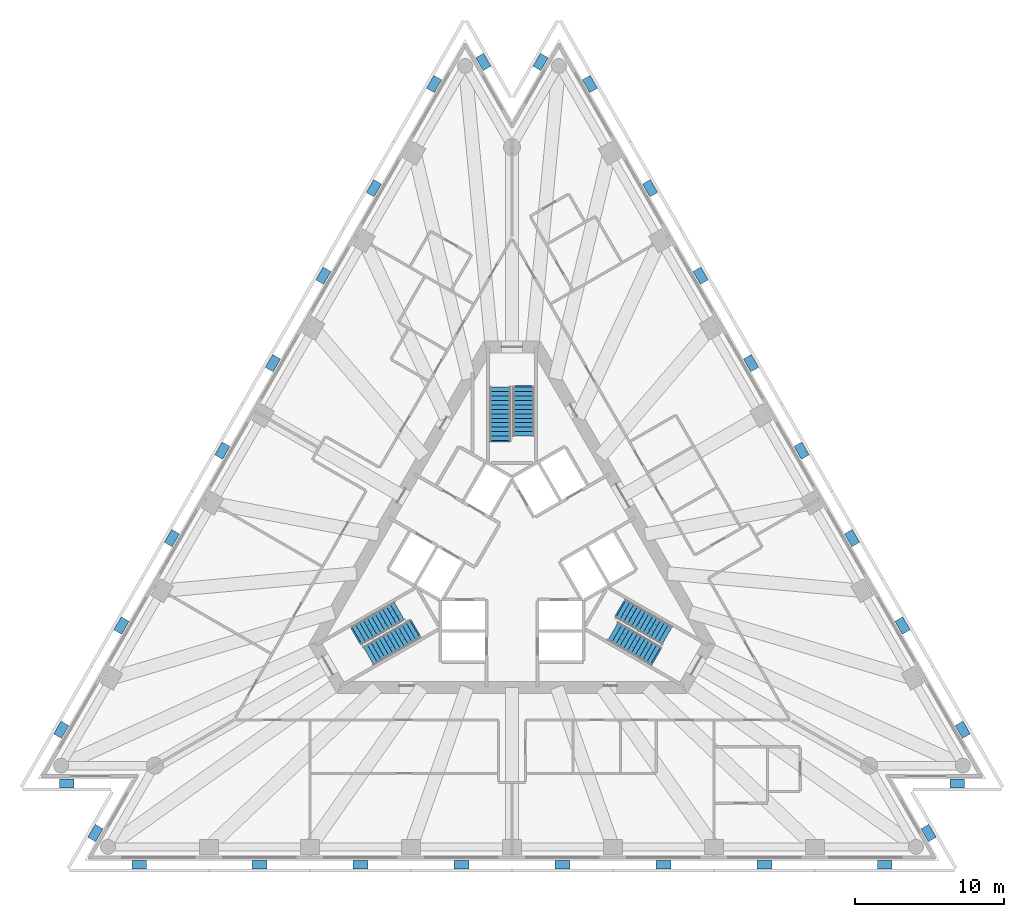
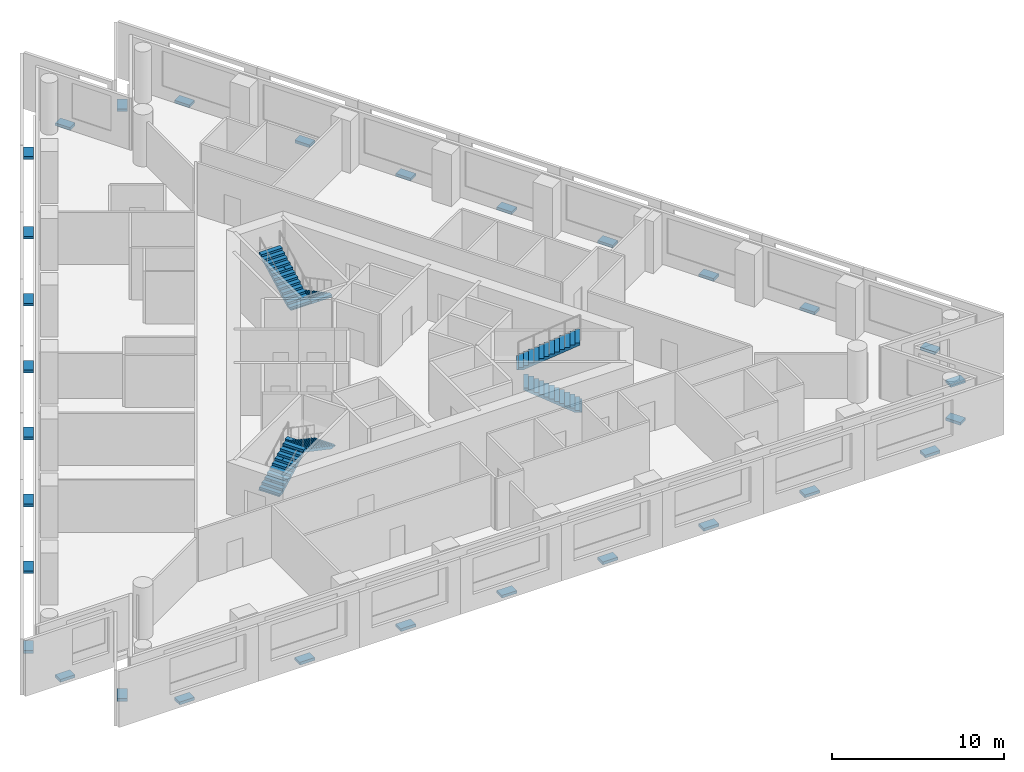
# One storey, part 7 of 9: 30 discrete accessories, 6 stair flights, 3 elements without a shape of their own.
"""IFC4 building model written with IfcOpenShell, lengths in metres."""

from ifc_helpers import new_model, si_unit, direction, frame, origin, origin_2d, place, context, subcontext, project, spatial, polyline, rectangle, outline, extrude, material, type_object, element, aggregate, save


model = new_model("IFC4")

# Units and contexts
model_context = context("Model", 3, precision=1e-05, world=origin(), true_north=direction((0.0, 1.0)))
body_context = subcontext(model_context, "Body", "Model", "MODEL_VIEW")
ifc_project = project(units=[si_unit("LENGTHUNIT", "METRE"), si_unit("AREAUNIT", "SQUARE_METRE"), si_unit("VOLUMEUNIT", "CUBIC_METRE"), si_unit("PLANEANGLEUNIT", "RADIAN"), si_unit("MASSUNIT", "GRAM", prefix="KILO")], contexts=[model_context])

# Site, building, storey
site_placement = place(None, origin())
site = spatial("IfcSite", under=ifc_project, at=site_placement, CompositionType="ELEMENT")
building_placement = place(site_placement, origin())
building = spatial("IfcBuilding", under=site, at=building_placement, Name="Triada Interchange Tower", CompositionType="ELEMENT")
storey_placement = place(building_placement, frame((0.0, 0.0, 136.300048828125)))
storey = spatial("IfcBuildingStorey", under=building, at=storey_placement, Name="L31", CompositionType="ELEMENT", Elevation=136.300048828125)

# Stair, stair flights
ifc_material_1 = material(Name="Concrete C35/45", Category="concrete")
stair_type = type_object("IfcStairType", Name="HALF TURN STAIR 1400", PredefinedType="HALF_TURN_STAIR", material=ifc_material_1)
stair_1_placement = place(storey_placement, origin())
stair_1 = element("IfcStair", 1, at=stair_1_placement, inside=storey, type_object=stair_type, Name="Exit stair S29-1", PredefinedType="HALF_TURN_STAIR")
stair_flight_type = type_object("IfcStairFlightType", Name="STRAIGHT STAIR FLIGHT 1400", PredefinedType="STRAIGHT", material=ifc_material_1)
stair_flight_1_placement = place(storey_placement, frame((0.800048828125, 11.60009765625, 0.0), z_axis=(0.0, 0.0, 1.0), x_axis=(0.0, -1.0, 0.0)))
stair_flight_1 = element("IfcStairFlight", 2, at=stair_flight_1_placement, type_object=stair_flight_type, Name="S29-1 flight 1", NumberOfRisers=12, NumberOfTreads=11, PredefinedType="STRAIGHT", RiserHeight=0.16, TreadLength=0.3, context=body_context, shape_type="SweptSolid", body=[
    extrude(outline(polyline([(-0.10009765625, 0.0), (-0.10009765625, 0.02001953125), (0.0, 0.02001953125), (0.0, 0.159912109375), (0.300048828125, 0.159912109375), (0.300048828125, 0.320068359375), (0.60009765625, 0.320068359375), (0.60009765625, 0.47998046875), (0.89990234375, 0.47998046875), (0.89990234375, 0.639892578125), (1.199951171875, 0.639892578125), (1.199951171875, 0.800048828125), (1.5, 0.800048828125), (1.5, 0.9599609375), (1.800048828125, 0.9599609375), (1.800048828125, 1.1201171875), (2.10009765625, 1.1201171875), (2.10009765625, 1.280029296875), (2.39990234375, 1.280029296875), (2.39990234375, 1.43994140625), (2.699951171875, 1.43994140625), (2.699951171875, 1.60009765625), (3.0, 1.60009765625), (3.0, 1.760009765625), (3.300048828125, 1.760009765625), (3.303955078125, 1.760009765625), (3.303955078125, 1.919921875), (3.303955078125, 1.590087890625), (0.318603515625, 0.0), (-0.10009765625, 0.0)])), frame((0.0, 0.699951171875, 0.0), z_axis=(0.0, -1.0, 0.0), x_axis=(1.0, 0.0, 0.0)), (0.0, 0.0, 1.0), 0.46533203125),
    extrude(outline(polyline([(-0.10009765625, 0.0), (-0.10009765625, 0.02001953125), (0.0, 0.02001953125), (0.0, 0.159912109375), (0.300048828125, 0.159912109375), (0.300048828125, 0.320068359375), (0.60009765625, 0.320068359375), (0.60009765625, 0.47998046875), (0.89990234375, 0.47998046875), (0.89990234375, 0.639892578125), (1.199951171875, 0.639892578125), (1.199951171875, 0.800048828125), (1.5, 0.800048828125), (1.5, 0.9599609375), (1.800048828125, 0.9599609375), (1.800048828125, 1.1201171875), (2.10009765625, 1.1201171875), (2.10009765625, 1.280029296875), (2.39990234375, 1.280029296875), (2.39990234375, 1.43994140625), (2.699951171875, 1.43994140625), (2.699951171875, 1.60009765625), (3.0, 1.60009765625), (3.0, 1.760009765625), (3.300048828125, 1.760009765625), (3.303955078125, 1.760009765625), (3.303955078125, 1.919921875), (3.303955078125, 1.590087890625), (0.318603515625, 0.0), (-0.10009765625, 0.0)])), frame((0.0, 0.232666015625, 0.0), z_axis=(0.0, -1.0, 0.0), x_axis=(1.0, 0.0, 0.0)), (0.0, 0.0, 1.0), 0.46533203125),
    extrude(outline(polyline([(-0.10009765625, 0.0), (-0.10009765625, 0.02001953125), (0.0, 0.02001953125), (0.0, 0.159912109375), (0.300048828125, 0.159912109375), (0.300048828125, 0.320068359375), (0.60009765625, 0.320068359375), (0.60009765625, 0.47998046875), (0.89990234375, 0.47998046875), (0.89990234375, 0.639892578125), (1.199951171875, 0.639892578125), (1.199951171875, 0.800048828125), (1.5, 0.800048828125), (1.5, 0.9599609375), (1.800048828125, 0.9599609375), (1.800048828125, 1.1201171875), (2.10009765625, 1.1201171875), (2.10009765625, 1.280029296875), (2.39990234375, 1.280029296875), (2.39990234375, 1.43994140625), (2.699951171875, 1.43994140625), (2.699951171875, 1.60009765625), (3.0, 1.60009765625), (3.0, 1.760009765625), (3.300048828125, 1.760009765625), (3.303955078125, 1.760009765625), (3.303955078125, 1.919921875), (3.303955078125, 1.590087890625), (0.318603515625, 0.0), (-0.10009765625, 0.0)])), frame((0.0, -0.234619140625, 0.0), z_axis=(0.0, -1.0, 0.0), x_axis=(1.0, 0.0, 0.0)), (0.0, 0.0, 1.0), 0.46533203125),
])
stair_flight_2_placement = place(storey_placement, frame((-0.800048828125, 8.0, 1.919921875), z_axis=(0.0, 0.0, 1.0), x_axis=(0.0, 1.0, 0.0)))
stair_flight_2 = element("IfcStairFlight", 3, at=stair_flight_2_placement, type_object=stair_flight_type, Name="S29-1 flight 2", NumberOfRisers=13, NumberOfTreads=12, PredefinedType="STRAIGHT", RiserHeight=0.16, TreadLength=0.3, context=body_context, shape_type="SweptSolid", body=[
    extrude(outline(polyline([(-0.10009765625, 0.0), (-0.10009765625, 0.02001953125), (0.0, 0.02001953125), (0.0, 0.159912109375), (0.300048828125, 0.159912109375), (0.300048828125, 0.320068359375), (0.60009765625, 0.320068359375), (0.60009765625, 0.47998046875), (0.89990234375, 0.47998046875), (0.89990234375, 0.639892578125), (1.199951171875, 0.639892578125), (1.199951171875, 0.800048828125), (1.5, 0.800048828125), (1.5, 0.9599609375), (1.800048828125, 0.9599609375), (1.800048828125, 1.1201171875), (2.10009765625, 1.1201171875), (2.10009765625, 1.280029296875), (2.39990234375, 1.280029296875), (2.39990234375, 1.43994140625), (2.699951171875, 1.43994140625), (2.699951171875, 1.60009765625), (3.0, 1.60009765625), (3.0, 1.760009765625), (3.300048828125, 1.760009765625), (3.300048828125, 1.919921875), (3.60009765625, 1.919921875), (3.60400390625, 1.919921875), (3.60400390625, 2.080078125), (3.60400390625, 1.75), (0.318603515625, 0.0), (-0.10009765625, 0.0)])), frame((0.0, 0.699951171875, 0.0), z_axis=(0.0, -1.0, 0.0), x_axis=(1.0, 0.0, 0.0)), (0.0, 0.0, 1.0), 0.46533203125),
    extrude(outline(polyline([(-0.10009765625, 0.0), (-0.10009765625, 0.02001953125), (0.0, 0.02001953125), (0.0, 0.159912109375), (0.300048828125, 0.159912109375), (0.300048828125, 0.320068359375), (0.60009765625, 0.320068359375), (0.60009765625, 0.47998046875), (0.89990234375, 0.47998046875), (0.89990234375, 0.639892578125), (1.199951171875, 0.639892578125), (1.199951171875, 0.800048828125), (1.5, 0.800048828125), (1.5, 0.9599609375), (1.800048828125, 0.9599609375), (1.800048828125, 1.1201171875), (2.10009765625, 1.1201171875), (2.10009765625, 1.280029296875), (2.39990234375, 1.280029296875), (2.39990234375, 1.43994140625), (2.699951171875, 1.43994140625), (2.699951171875, 1.60009765625), (3.0, 1.60009765625), (3.0, 1.760009765625), (3.300048828125, 1.760009765625), (3.300048828125, 1.919921875), (3.60009765625, 1.919921875), (3.60400390625, 1.919921875), (3.60400390625, 2.080078125), (3.60400390625, 1.75), (0.318603515625, 0.0), (-0.10009765625, 0.0)])), frame((0.0, 0.232666015625, 0.0), z_axis=(0.0, -1.0, 0.0), x_axis=(1.0, 0.0, 0.0)), (0.0, 0.0, 1.0), 0.46533203125),
    extrude(outline(polyline([(-0.10009765625, 0.0), (-0.10009765625, 0.02001953125), (0.0, 0.02001953125), (0.0, 0.159912109375), (0.300048828125, 0.159912109375), (0.300048828125, 0.320068359375), (0.60009765625, 0.320068359375), (0.60009765625, 0.47998046875), (0.89990234375, 0.47998046875), (0.89990234375, 0.639892578125), (1.199951171875, 0.639892578125), (1.199951171875, 0.800048828125), (1.5, 0.800048828125), (1.5, 0.9599609375), (1.800048828125, 0.9599609375), (1.800048828125, 1.1201171875), (2.10009765625, 1.1201171875), (2.10009765625, 1.280029296875), (2.39990234375, 1.280029296875), (2.39990234375, 1.43994140625), (2.699951171875, 1.43994140625), (2.699951171875, 1.60009765625), (3.0, 1.60009765625), (3.0, 1.760009765625), (3.300048828125, 1.760009765625), (3.300048828125, 1.919921875), (3.60009765625, 1.919921875), (3.60400390625, 1.919921875), (3.60400390625, 2.080078125), (3.60400390625, 1.75), (0.318603515625, 0.0), (-0.10009765625, 0.0)])), frame((0.0, -0.234619140625, 0.0), z_axis=(0.0, -1.0, 0.0), x_axis=(1.0, 0.0, 0.0)), (0.0, 0.0, 1.0), 0.46533203125),
])
aggregate(stair_1, [stair_flight_1, stair_flight_2])

stair_2_placement = place(storey_placement, origin())
stair_2 = element("IfcStair", 4, at=stair_2_placement, inside=storey, type_object=stair_type, Name="Exit stair S29-2", PredefinedType="HALF_TURN_STAIR")
stair_flight_3_placement = place(storey_placement, frame((-10.446044921875, -5.10693359375, 0.0), z_axis=(0.0, 0.0, 1.0), x_axis=(0.866025403784, 0.5, 0.0)))
stair_flight_3 = element("IfcStairFlight", 5, at=stair_flight_3_placement, type_object=stair_flight_type, Name="S29-2 flight 1", NumberOfRisers=12, NumberOfTreads=11, PredefinedType="STRAIGHT", RiserHeight=0.16, TreadLength=0.3, context=body_context, shape_type="SweptSolid", body=[
    extrude(outline(polyline([(-0.10009765625, 0.0), (-0.10009765625, 0.02001953125), (0.0, 0.02001953125), (0.0, 0.159912109375), (0.300048828125, 0.159912109375), (0.300048828125, 0.320068359375), (0.60009765625, 0.320068359375), (0.60009765625, 0.47998046875), (0.89990234375, 0.47998046875), (0.89990234375, 0.639892578125), (1.199951171875, 0.639892578125), (1.199951171875, 0.800048828125), (1.5, 0.800048828125), (1.5, 0.9599609375), (1.800048828125, 0.9599609375), (1.800048828125, 1.1201171875), (2.10009765625, 1.1201171875), (2.10009765625, 1.280029296875), (2.39990234375, 1.280029296875), (2.39990234375, 1.43994140625), (2.699951171875, 1.43994140625), (2.699951171875, 1.60009765625), (3.0, 1.60009765625), (3.0, 1.760009765625), (3.300048828125, 1.760009765625), (3.303955078125, 1.760009765625), (3.303955078125, 1.919921875), (3.303955078125, 1.590087890625), (0.318603515625, 0.0), (-0.10009765625, 0.0)])), frame((0.0, 0.699951171875, 0.0), z_axis=(0.0, -1.0, 0.0), x_axis=(1.0, 0.0, 0.0)), (0.0, 0.0, 1.0), 0.46533203125),
    extrude(outline(polyline([(-0.10009765625, 0.0), (-0.10009765625, 0.02001953125), (0.0, 0.02001953125), (0.0, 0.159912109375), (0.300048828125, 0.159912109375), (0.300048828125, 0.320068359375), (0.60009765625, 0.320068359375), (0.60009765625, 0.47998046875), (0.89990234375, 0.47998046875), (0.89990234375, 0.639892578125), (1.199951171875, 0.639892578125), (1.199951171875, 0.800048828125), (1.5, 0.800048828125), (1.5, 0.9599609375), (1.800048828125, 0.9599609375), (1.800048828125, 1.1201171875), (2.10009765625, 1.1201171875), (2.10009765625, 1.280029296875), (2.39990234375, 1.280029296875), (2.39990234375, 1.43994140625), (2.699951171875, 1.43994140625), (2.699951171875, 1.60009765625), (3.0, 1.60009765625), (3.0, 1.760009765625), (3.300048828125, 1.760009765625), (3.303955078125, 1.760009765625), (3.303955078125, 1.919921875), (3.303955078125, 1.590087890625), (0.318603515625, 0.0), (-0.10009765625, 0.0)])), frame((0.0, 0.232666015625, 0.0), z_axis=(0.0, -1.0, 0.0), x_axis=(1.0, 0.0, 0.0)), (0.0, 0.0, 1.0), 0.46533203125),
    extrude(outline(polyline([(-0.10009765625, 0.0), (-0.10009765625, 0.02001953125), (0.0, 0.02001953125), (0.0, 0.159912109375), (0.300048828125, 0.159912109375), (0.300048828125, 0.320068359375), (0.60009765625, 0.320068359375), (0.60009765625, 0.47998046875), (0.89990234375, 0.47998046875), (0.89990234375, 0.639892578125), (1.199951171875, 0.639892578125), (1.199951171875, 0.800048828125), (1.5, 0.800048828125), (1.5, 0.9599609375), (1.800048828125, 0.9599609375), (1.800048828125, 1.1201171875), (2.10009765625, 1.1201171875), (2.10009765625, 1.280029296875), (2.39990234375, 1.280029296875), (2.39990234375, 1.43994140625), (2.699951171875, 1.43994140625), (2.699951171875, 1.60009765625), (3.0, 1.60009765625), (3.0, 1.760009765625), (3.300048828125, 1.760009765625), (3.303955078125, 1.760009765625), (3.303955078125, 1.919921875), (3.303955078125, 1.590087890625), (0.318603515625, 0.0), (-0.10009765625, 0.0)])), frame((0.0, -0.234619140625, 0.0), z_axis=(0.0, -1.0, 0.0), x_axis=(1.0, 0.0, 0.0)), (0.0, 0.0, 1.0), 0.46533203125),
])
stair_flight_4_placement = place(storey_placement, frame((-6.528076171875, -4.693115234375, 1.919921875), z_axis=(0.0, 0.0, 1.0), x_axis=(-0.866025403784, -0.5, 0.0)))
stair_flight_4 = element("IfcStairFlight", 6, at=stair_flight_4_placement, type_object=stair_flight_type, Name="S29-2 flight 2", NumberOfRisers=13, NumberOfTreads=12, PredefinedType="STRAIGHT", RiserHeight=0.16, TreadLength=0.3, context=body_context, shape_type="SweptSolid", body=[
    extrude(outline(polyline([(-0.10009765625, 0.0), (-0.10009765625, 0.02001953125), (0.0, 0.02001953125), (0.0, 0.159912109375), (0.300048828125, 0.159912109375), (0.300048828125, 0.320068359375), (0.60009765625, 0.320068359375), (0.60009765625, 0.47998046875), (0.89990234375, 0.47998046875), (0.89990234375, 0.639892578125), (1.199951171875, 0.639892578125), (1.199951171875, 0.800048828125), (1.5, 0.800048828125), (1.5, 0.9599609375), (1.800048828125, 0.9599609375), (1.800048828125, 1.1201171875), (2.10009765625, 1.1201171875), (2.10009765625, 1.280029296875), (2.39990234375, 1.280029296875), (2.39990234375, 1.43994140625), (2.699951171875, 1.43994140625), (2.699951171875, 1.60009765625), (3.0, 1.60009765625), (3.0, 1.760009765625), (3.300048828125, 1.760009765625), (3.300048828125, 1.919921875), (3.60009765625, 1.919921875), (3.60400390625, 1.919921875), (3.60400390625, 2.080078125), (3.60400390625, 1.75), (0.318603515625, 0.0), (-0.10009765625, 0.0)])), frame((0.0, 0.699951171875, 0.0), z_axis=(0.0, -1.0, 0.0), x_axis=(1.0, 0.0, 0.0)), (0.0, 0.0, 1.0), 0.46533203125),
    extrude(outline(polyline([(-0.10009765625, 0.0), (-0.10009765625, 0.02001953125), (0.0, 0.02001953125), (0.0, 0.159912109375), (0.300048828125, 0.159912109375), (0.300048828125, 0.320068359375), (0.60009765625, 0.320068359375), (0.60009765625, 0.47998046875), (0.89990234375, 0.47998046875), (0.89990234375, 0.639892578125), (1.199951171875, 0.639892578125), (1.199951171875, 0.800048828125), (1.5, 0.800048828125), (1.5, 0.9599609375), (1.800048828125, 0.9599609375), (1.800048828125, 1.1201171875), (2.10009765625, 1.1201171875), (2.10009765625, 1.280029296875), (2.39990234375, 1.280029296875), (2.39990234375, 1.43994140625), (2.699951171875, 1.43994140625), (2.699951171875, 1.60009765625), (3.0, 1.60009765625), (3.0, 1.760009765625), (3.300048828125, 1.760009765625), (3.300048828125, 1.919921875), (3.60009765625, 1.919921875), (3.60400390625, 1.919921875), (3.60400390625, 2.080078125), (3.60400390625, 1.75), (0.318603515625, 0.0), (-0.10009765625, 0.0)])), frame((0.0, 0.232666015625, 0.0), z_axis=(0.0, -1.0, 0.0), x_axis=(1.0, 0.0, 0.0)), (0.0, 0.0, 1.0), 0.46533203125),
    extrude(outline(polyline([(-0.10009765625, 0.0), (-0.10009765625, 0.02001953125), (0.0, 0.02001953125), (0.0, 0.159912109375), (0.300048828125, 0.159912109375), (0.300048828125, 0.320068359375), (0.60009765625, 0.320068359375), (0.60009765625, 0.47998046875), (0.89990234375, 0.47998046875), (0.89990234375, 0.639892578125), (1.199951171875, 0.639892578125), (1.199951171875, 0.800048828125), (1.5, 0.800048828125), (1.5, 0.9599609375), (1.800048828125, 0.9599609375), (1.800048828125, 1.1201171875), (2.10009765625, 1.1201171875), (2.10009765625, 1.280029296875), (2.39990234375, 1.280029296875), (2.39990234375, 1.43994140625), (2.699951171875, 1.43994140625), (2.699951171875, 1.60009765625), (3.0, 1.60009765625), (3.0, 1.760009765625), (3.300048828125, 1.760009765625), (3.300048828125, 1.919921875), (3.60009765625, 1.919921875), (3.60400390625, 1.919921875), (3.60400390625, 2.080078125), (3.60400390625, 1.75), (0.318603515625, 0.0), (-0.10009765625, 0.0)])), frame((0.0, -0.234619140625, 0.0), z_axis=(0.0, -1.0, 0.0), x_axis=(1.0, 0.0, 0.0)), (0.0, 0.0, 1.0), 0.46533203125),
])
aggregate(stair_2, [stair_flight_3, stair_flight_4])

stair_3_placement = place(storey_placement, origin())
stair_3 = element("IfcStair", 7, at=stair_3_placement, inside=storey, type_object=stair_type, Name="Exit stair S29-3", PredefinedType="HALF_TURN_STAIR")
stair_flight_5_placement = place(storey_placement, frame((9.64599609375, -6.492919921875, 0.0), z_axis=(0.0, 0.0, 1.0), x_axis=(-0.866025403784, 0.5, 0.0)))
stair_flight_5 = element("IfcStairFlight", 8, at=stair_flight_5_placement, type_object=stair_flight_type, Name="S29-3 flight 1", NumberOfRisers=12, NumberOfTreads=11, PredefinedType="STRAIGHT", RiserHeight=0.16, TreadLength=0.3, context=body_context, shape_type="SweptSolid", body=[
    extrude(outline(polyline([(-0.10009765625, 0.0), (-0.10009765625, 0.02001953125), (0.0, 0.02001953125), (0.0, 0.159912109375), (0.300048828125, 0.159912109375), (0.300048828125, 0.320068359375), (0.60009765625, 0.320068359375), (0.60009765625, 0.47998046875), (0.89990234375, 0.47998046875), (0.89990234375, 0.639892578125), (1.199951171875, 0.639892578125), (1.199951171875, 0.800048828125), (1.5, 0.800048828125), (1.5, 0.9599609375), (1.800048828125, 0.9599609375), (1.800048828125, 1.1201171875), (2.10009765625, 1.1201171875), (2.10009765625, 1.280029296875), (2.39990234375, 1.280029296875), (2.39990234375, 1.43994140625), (2.699951171875, 1.43994140625), (2.699951171875, 1.60009765625), (3.0, 1.60009765625), (3.0, 1.760009765625), (3.300048828125, 1.760009765625), (3.303955078125, 1.760009765625), (3.303955078125, 1.919921875), (3.303955078125, 1.590087890625), (0.318603515625, 0.0), (-0.10009765625, 0.0)])), frame((0.0, 0.699951171875, 0.0), z_axis=(0.0, -1.0, 0.0), x_axis=(1.0, 0.0, 0.0)), (0.0, 0.0, 1.0), 0.46533203125),
    extrude(outline(polyline([(-0.10009765625, 0.0), (-0.10009765625, 0.02001953125), (0.0, 0.02001953125), (0.0, 0.159912109375), (0.300048828125, 0.159912109375), (0.300048828125, 0.320068359375), (0.60009765625, 0.320068359375), (0.60009765625, 0.47998046875), (0.89990234375, 0.47998046875), (0.89990234375, 0.639892578125), (1.199951171875, 0.639892578125), (1.199951171875, 0.800048828125), (1.5, 0.800048828125), (1.5, 0.9599609375), (1.800048828125, 0.9599609375), (1.800048828125, 1.1201171875), (2.10009765625, 1.1201171875), (2.10009765625, 1.280029296875), (2.39990234375, 1.280029296875), (2.39990234375, 1.43994140625), (2.699951171875, 1.43994140625), (2.699951171875, 1.60009765625), (3.0, 1.60009765625), (3.0, 1.760009765625), (3.300048828125, 1.760009765625), (3.303955078125, 1.760009765625), (3.303955078125, 1.919921875), (3.303955078125, 1.590087890625), (0.318603515625, 0.0), (-0.10009765625, 0.0)])), frame((0.0, 0.232666015625, 0.0), z_axis=(0.0, -1.0, 0.0), x_axis=(1.0, 0.0, 0.0)), (0.0, 0.0, 1.0), 0.46533203125),
    extrude(outline(polyline([(-0.10009765625, 0.0), (-0.10009765625, 0.02001953125), (0.0, 0.02001953125), (0.0, 0.159912109375), (0.300048828125, 0.159912109375), (0.300048828125, 0.320068359375), (0.60009765625, 0.320068359375), (0.60009765625, 0.47998046875), (0.89990234375, 0.47998046875), (0.89990234375, 0.639892578125), (1.199951171875, 0.639892578125), (1.199951171875, 0.800048828125), (1.5, 0.800048828125), (1.5, 0.9599609375), (1.800048828125, 0.9599609375), (1.800048828125, 1.1201171875), (2.10009765625, 1.1201171875), (2.10009765625, 1.280029296875), (2.39990234375, 1.280029296875), (2.39990234375, 1.43994140625), (2.699951171875, 1.43994140625), (2.699951171875, 1.60009765625), (3.0, 1.60009765625), (3.0, 1.760009765625), (3.300048828125, 1.760009765625), (3.303955078125, 1.760009765625), (3.303955078125, 1.919921875), (3.303955078125, 1.590087890625), (0.318603515625, 0.0), (-0.10009765625, 0.0)])), frame((0.0, -0.234619140625, 0.0), z_axis=(0.0, -1.0, 0.0), x_axis=(1.0, 0.0, 0.0)), (0.0, 0.0, 1.0), 0.46533203125),
])
stair_flight_6_placement = place(storey_placement, frame((7.327880859375, -3.306884765625, 1.919921875), z_axis=(0.0, 0.0, 1.0), x_axis=(0.866025403784, -0.5, 0.0)))
stair_flight_6 = element("IfcStairFlight", 9, at=stair_flight_6_placement, type_object=stair_flight_type, Name="S29-3 flight 2", NumberOfRisers=13, NumberOfTreads=12, PredefinedType="STRAIGHT", RiserHeight=0.16, TreadLength=0.3, context=body_context, shape_type="SweptSolid", body=[
    extrude(outline(polyline([(-0.10009765625, 0.0), (-0.10009765625, 0.02001953125), (0.0, 0.02001953125), (0.0, 0.159912109375), (0.300048828125, 0.159912109375), (0.300048828125, 0.320068359375), (0.60009765625, 0.320068359375), (0.60009765625, 0.47998046875), (0.89990234375, 0.47998046875), (0.89990234375, 0.639892578125), (1.199951171875, 0.639892578125), (1.199951171875, 0.800048828125), (1.5, 0.800048828125), (1.5, 0.9599609375), (1.800048828125, 0.9599609375), (1.800048828125, 1.1201171875), (2.10009765625, 1.1201171875), (2.10009765625, 1.280029296875), (2.39990234375, 1.280029296875), (2.39990234375, 1.43994140625), (2.699951171875, 1.43994140625), (2.699951171875, 1.60009765625), (3.0, 1.60009765625), (3.0, 1.760009765625), (3.300048828125, 1.760009765625), (3.300048828125, 1.919921875), (3.60009765625, 1.919921875), (3.60400390625, 1.919921875), (3.60400390625, 2.080078125), (3.60400390625, 1.75), (0.318603515625, 0.0), (-0.10009765625, 0.0)])), frame((0.0, 0.699951171875, 0.0), z_axis=(0.0, -1.0, 0.0), x_axis=(1.0, 0.0, 0.0)), (0.0, 0.0, 1.0), 0.46533203125),
    extrude(outline(polyline([(-0.10009765625, 0.0), (-0.10009765625, 0.02001953125), (0.0, 0.02001953125), (0.0, 0.159912109375), (0.300048828125, 0.159912109375), (0.300048828125, 0.320068359375), (0.60009765625, 0.320068359375), (0.60009765625, 0.47998046875), (0.89990234375, 0.47998046875), (0.89990234375, 0.639892578125), (1.199951171875, 0.639892578125), (1.199951171875, 0.800048828125), (1.5, 0.800048828125), (1.5, 0.9599609375), (1.800048828125, 0.9599609375), (1.800048828125, 1.1201171875), (2.10009765625, 1.1201171875), (2.10009765625, 1.280029296875), (2.39990234375, 1.280029296875), (2.39990234375, 1.43994140625), (2.699951171875, 1.43994140625), (2.699951171875, 1.60009765625), (3.0, 1.60009765625), (3.0, 1.760009765625), (3.300048828125, 1.760009765625), (3.300048828125, 1.919921875), (3.60009765625, 1.919921875), (3.60400390625, 1.919921875), (3.60400390625, 2.080078125), (3.60400390625, 1.75), (0.318603515625, 0.0), (-0.10009765625, 0.0)])), frame((0.0, 0.232666015625, 0.0), z_axis=(0.0, -1.0, 0.0), x_axis=(1.0, 0.0, 0.0)), (0.0, 0.0, 1.0), 0.46533203125),
    extrude(outline(polyline([(-0.10009765625, 0.0), (-0.10009765625, 0.02001953125), (0.0, 0.02001953125), (0.0, 0.159912109375), (0.300048828125, 0.159912109375), (0.300048828125, 0.320068359375), (0.60009765625, 0.320068359375), (0.60009765625, 0.47998046875), (0.89990234375, 0.47998046875), (0.89990234375, 0.639892578125), (1.199951171875, 0.639892578125), (1.199951171875, 0.800048828125), (1.5, 0.800048828125), (1.5, 0.9599609375), (1.800048828125, 0.9599609375), (1.800048828125, 1.1201171875), (2.10009765625, 1.1201171875), (2.10009765625, 1.280029296875), (2.39990234375, 1.280029296875), (2.39990234375, 1.43994140625), (2.699951171875, 1.43994140625), (2.699951171875, 1.60009765625), (3.0, 1.60009765625), (3.0, 1.760009765625), (3.300048828125, 1.760009765625), (3.300048828125, 1.919921875), (3.60009765625, 1.919921875), (3.60400390625, 1.919921875), (3.60400390625, 2.080078125), (3.60400390625, 1.75), (0.318603515625, 0.0), (-0.10009765625, 0.0)])), frame((0.0, -0.234619140625, 0.0), z_axis=(0.0, -1.0, 0.0), x_axis=(1.0, 0.0, 0.0)), (0.0, 0.0, 1.0), 0.46533203125),
])
aggregate(stair_3, [stair_flight_5, stair_flight_6])

# Discrete accessories
ifc_material_2 = material(Name="Steel S355", Category="steel")
discrete_accessory_type = type_object("IfcDiscreteAccessoryType", Name="Steel bracket outer skin", PredefinedType="BRACKET", material=ifc_material_2)
for number, where, z_axis, x_axis, name in (
    (10, (-5.241943359375, 31.98388671875, -0.27001953125), (0.0, 0.0, 1.0), (-0.866023318108, 0.500003612479, 0.0), "Bracket L31 01"),
    (11, (-9.2890625, 24.97509765625, -0.27001953125), (0.0, 0.0, 1.0), (-0.866023318108, 0.500003612479, 0.0), "Bracket L31 02"),
    (12, (-12.68603515625, 19.092041015625, -0.27001953125), (0.0, 0.0, 1.0), (-0.866023318108, 0.500003612479, 0.0), "Bracket L31 03"),
    (13, (-16.0830078125, 13.2080078125, -0.27001953125), (0.0, 0.0, 1.0), (-0.866023318108, 0.500003612479, 0.0), "Bracket L31 04"),
    (14, (-19.47998046875, 7.323974609375, -0.27001953125), (0.0, 0.0, 1.0), (-0.866023318108, 0.500003612479, 0.0), "Bracket L31 05"),
    (15, (-22.876953125, 1.43994140625, -0.27001953125), (0.0, 0.0, 1.0), (-0.866023318108, 0.500003612479, 0.0), "Bracket L31 06"),
    (16, (-26.27392578125, -4.443115234375, -0.27001953125), (0.0, 0.0, 1.0), (-0.866023318108, 0.500003612479, 0.0), "Bracket L31 07"),
    (17, (-30.320068359375, -11.451904296875, -0.27001953125), (0.0, 0.0, 1.0), (-0.866023318108, 0.500003612479, 0.0), "Bracket L31 08"),
    (18, (-29.947021484375, -15.069091796875, -0.27001953125), (0.0, 0.0, 1.0), (0.0, -1.0, 0.0), "Bracket L31 09"),
    (19, (-28.02392578125, -18.40087890625, -0.27001953125), (0.0, 0.0, 1.0), (-0.866029836887, 0.499992321563, 0.0), "Bracket L31 10"),
    (20, (-25.077880859375, -20.531982421875, -0.27001953125), (0.0, 0.0, 1.0), (0.0, -1.0, 0.0), "Bracket L31 11"),
    (21, (-16.985107421875, -20.531982421875, -0.27001953125), (0.0, 0.0, 1.0), (0.0, -1.0, 0.0), "Bracket L31 12"),
    (22, (-10.19091796875, -20.531982421875, -0.27001953125), (0.0, 0.0, 1.0), (0.0, -1.0, 0.0), "Bracket L31 13"),
    (23, (-3.39697265625, -20.531982421875, -0.27001953125), (0.0, 0.0, 1.0), (0.0, -1.0, 0.0), "Bracket L31 14"),
    (24, (3.39697265625, -20.531982421875, -0.27001953125), (0.0, 0.0, 1.0), (0.0, -1.0, 0.0), "Bracket L31 15"),
    (25, (10.19091796875, -20.531982421875, -0.27001953125), (0.0, 0.0, 1.0), (0.0, -1.0, 0.0), "Bracket L31 16"),
    (26, (16.985107421875, -20.531982421875, -0.27001953125), (0.0, 0.0, 1.0), (0.0, -1.0, 0.0), "Bracket L31 17"),
    (27, (25.077880859375, -20.531982421875, -0.27001953125), (0.0, 0.0, 1.0), (0.0, -1.0, 0.0), "Bracket L31 18"),
    (28, (28.02392578125, -18.40087890625, -0.27001953125), (0.0, 0.0, 1.0), (0.866029836887, 0.499992321563, 0.0), "Bracket L31 19"),
    (29, (29.947021484375, -15.069091796875, -0.27001953125), (0.0, 0.0, 1.0), (0.0, -1.0, 0.0), "Bracket L31 20"),
    (30, (30.320068359375, -11.451904296875, -0.27001953125), (0.0, 0.0, 1.0), (0.866023318108, 0.500003612479, 0.0), "Bracket L31 21"),
    (31, (26.27392578125, -4.443115234375, -0.27001953125), (0.0, 0.0, 1.0), (0.866023318108, 0.500003612479, 0.0), "Bracket L31 22"),
    (32, (22.876953125, 1.43994140625, -0.27001953125), (0.0, 0.0, 1.0), (0.866023318108, 0.500003612479, 0.0), "Bracket L31 23"),
    (33, (19.47998046875, 7.323974609375, -0.27001953125), (0.0, 0.0, 1.0), (0.866023318108, 0.500003612479, 0.0), "Bracket L31 24"),
    (34, (16.0830078125, 13.2080078125, -0.27001953125), (0.0, 0.0, 1.0), (0.866023318108, 0.500003612479, 0.0), "Bracket L31 25"),
    (35, (12.68603515625, 19.092041015625, -0.27001953125), (0.0, 0.0, 1.0), (0.866023318108, 0.500003612479, 0.0), "Bracket L31 26"),
    (36, (9.2890625, 24.97509765625, -0.27001953125), (0.0, 0.0, 1.0), (0.866023318108, 0.500003612479, 0.0), "Bracket L31 27"),
    (37, (5.241943359375, 31.98388671875, -0.27001953125), (0.0, 0.0, 1.0), (0.866023318108, 0.500003612479, 0.0), "Bracket L31 28"),
    (38, (1.923095703125, 33.469970703125, -0.27001953125), (0.0, 0.0, 1.0), (-0.865990198347, 0.500060972649, 0.0), "Bracket L31 29"),
    (39, (-1.923095703125, 33.469970703125, -0.27001953125), (0.0, 0.0, 1.0), (0.865990198347, 0.500060972649, 0.0), "Bracket L31 30"),
):
    element("IfcDiscreteAccessory", number, at=place(storey_placement, frame(where, z_axis=z_axis, x_axis=x_axis)), inside=storey, type_object=discrete_accessory_type, Name=name, PredefinedType="BRACKET", context=body_context, shape_type="SweptSolid", body=[
        extrude(rectangle(XDim=0.60009765625, YDim=1.0, at=origin_2d()), origin(), (0.0, 0.0, 1.0), 0.199951171875),
    ])

save(model, "model.ifc")
